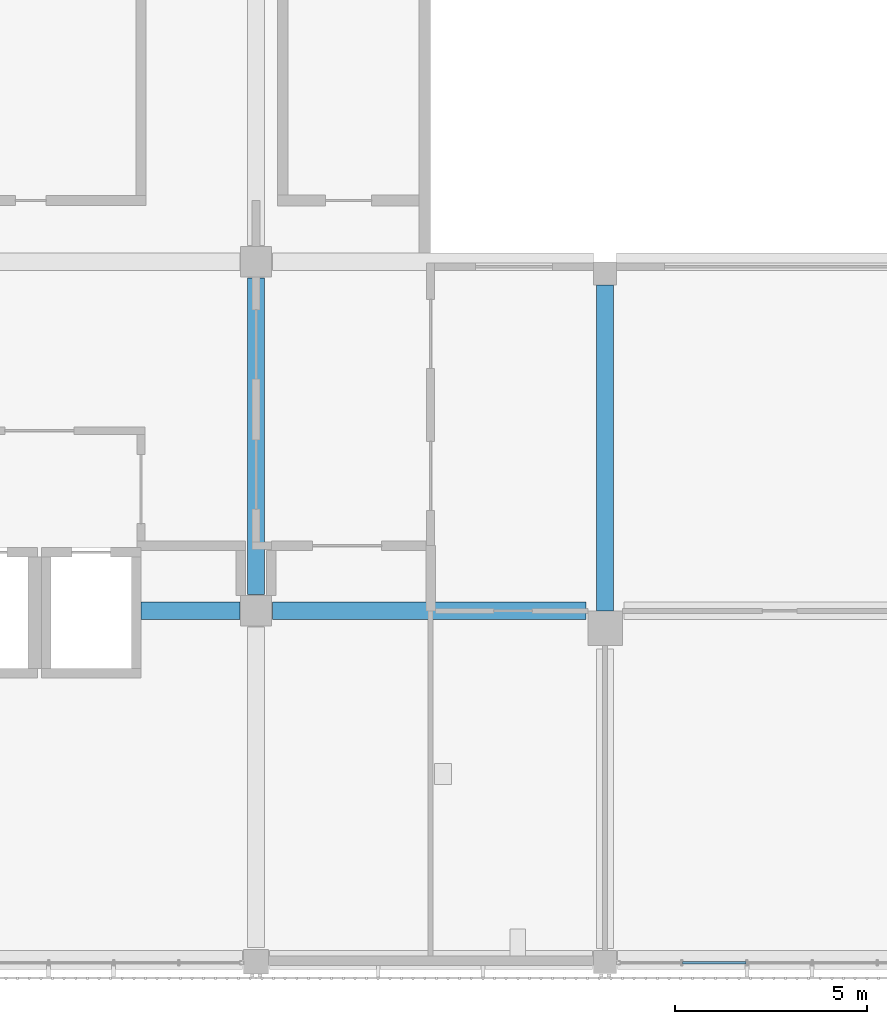
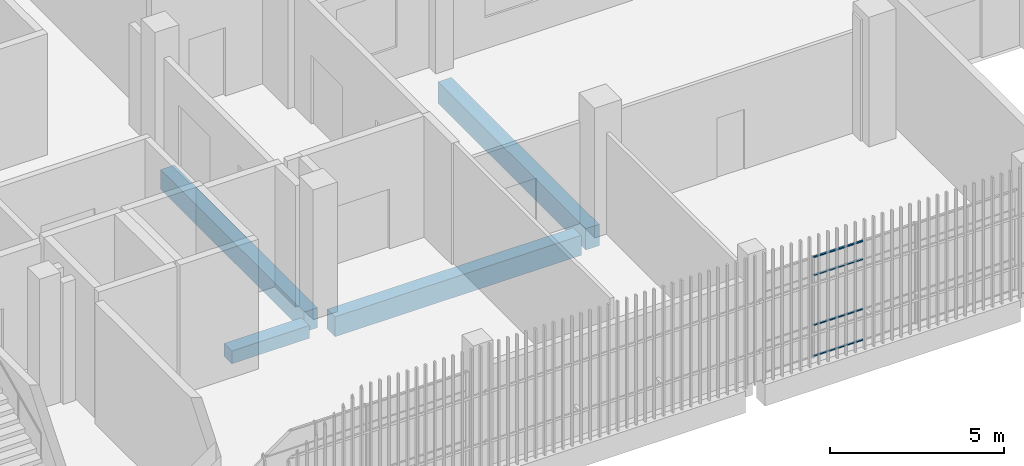
# One storey, part 9 of 104: 4 beams, 4 members, 1 element without a shape of its own.
"""IFC4 building model written with IfcOpenShell, lengths in metres."""

import ifcopenshell
import ifcopenshell.guid

model = None  # the IFC model being written
_history = None  # IfcOwnerHistory: only IFC2X3 demands one
_inside = {}  # id of a spatial element -> (the spatial element, [elements in it])
_under = {}  # id of a project, library or spatial element -> (it, [spatial elements below it])
_declared = {}  # id of a project -> (the project, [libraries it declares])
_typed = {}  # id of a type object -> (the type object, [elements of that type])
_made_of = {}  # id of a material, layer set ... -> (it, [elements and type objects made of it])


def new_model(schema):
    """Start an empty IFC model of exactly this schema.

    Asked for "IFC4X3", IfcOpenShell would pick the latest addendum, in which some entities
    have other attributes; the version numbers below select the first issue.
    IFC2X3 requires an IfcOwnerHistory on every rooted entity: one is made here for all.
    """
    global model, _history
    if schema == "IFC4X3":
        model = ifcopenshell.file(schema_version=(4, 3, 0, 0))
    else:
        model = ifcopenshell.file(schema=schema)
    _inside.clear()
    _under.clear()
    _declared.clear()
    _typed.clear()
    _made_of.clear()
    _history = None
    if model.schema == "IFC2X3":
        org = make("IfcOrganization", Name="unknown")
        user = make(
            "IfcPersonAndOrganization",
            ThePerson=make("IfcPerson", FamilyName="unknown"),
            TheOrganization=org,
        )
        app = make(
            "IfcApplication",
            ApplicationDeveloper=org,
            Version="unknown",
            ApplicationFullName="unknown",
            ApplicationIdentifier="unknown",
        )
        _history = make(
            "IfcOwnerHistory",
            OwningUser=user,
            OwningApplication=app,
            ChangeAction="ADDED",
            CreationDate=0,
        )
    return model


def make(cls, **values):
    """One entity of the class cls with the attributes given. An attribute that is None is left unset."""
    return model.create_entity(
        cls, **{name: value for name, value in values.items() if value is not None}
    )


def rooted(cls, **values):
    """An entity with a GlobalId (a new one), such as an element, a storey or a relation."""
    return make(cls, GlobalId=ifcopenshell.guid.new(), OwnerHistory=_history, **values)


def si_unit(unit_type, name, prefix=None):
    """IfcSIUnit, for example si_unit("LENGTHUNIT", "METRE", prefix="MILLI")."""
    return make("IfcSIUnit", UnitType=unit_type, Prefix=prefix, Name=name)


def assignment(units):
    """IfcUnitAssignment: the units of a project."""
    return None if units is None else make("IfcUnitAssignment", Units=units)


def point(xyz):
    """IfcCartesianPoint."""
    return None if xyz is None else make("IfcCartesianPoint", Coordinates=xyz)


def direction(xyz):
    """IfcDirection."""
    return None if xyz is None else make("IfcDirection", DirectionRatios=xyz)


def frame(location, z_axis=None, x_axis=None):
    """IfcAxis2Placement3D, a coordinate frame: its origin and axes. An axis left out is left unset."""
    return make(
        "IfcAxis2Placement3D",
        Location=point(location),
        Axis=direction(z_axis),
        RefDirection=direction(x_axis),
    )


def frame_2d(location, x_axis=None):
    """IfcAxis2Placement2D, a coordinate frame in the plane: its origin and x axis."""
    return make(
        "IfcAxis2Placement2D", Location=point(location), RefDirection=direction(x_axis)
    )


def origin():
    """The frame at (0, 0, 0) with its axes left unset."""
    return frame((0.0, 0.0, 0.0))


def origin_2d():
    """The frame at (0, 0) in the plane with its x axis left unset."""
    return frame_2d((0.0, 0.0))


def place(relative_to, where):
    """IfcLocalPlacement: puts the frame where relative to a parent placement (None: the world)."""
    return make(
        "IfcLocalPlacement", PlacementRelTo=relative_to, RelativePlacement=where
    )


def context(
    kind, dimensions, precision=None, world=None, true_north=None, identifier=None
):
    """IfcGeometricRepresentationContext, for example the 3D "Model" context."""
    return make(
        "IfcGeometricRepresentationContext",
        ContextIdentifier=identifier,
        ContextType=kind,
        CoordinateSpaceDimension=dimensions,
        Precision=precision,
        WorldCoordinateSystem=world,
        TrueNorth=true_north,
    )


def subcontext(parent, identifier, kind, view, scale=None):
    """IfcGeometricRepresentationSubContext, for example "Body" below "Model"."""
    return make(
        "IfcGeometricRepresentationSubContext",
        ContextIdentifier=identifier,
        ContextType=kind,
        ParentContext=parent,
        TargetScale=scale,
        TargetView=view,
    )


def project(units=None, contexts=None):
    """IfcProject with its units and contexts."""
    return rooted(
        "IfcProject",
        Name="project",
        RepresentationContexts=contexts,
        UnitsInContext=assignment(units),
    )


def spatial(cls, under=None, at=None, **own):
    """A site, building, storey or space (cls), placed at a placement, below another one or the project."""
    s = rooted(cls, ObjectPlacement=at, **own)
    if under is not None:
        _under.setdefault(under.id(), (under, []))[1].append(s)
    return s


def profile(cls, at=None, kind="AREA", **sizes):
    """A parametric profile (cls). Its sizes go by their IFC names, for example OverallWidth=200.0."""
    return make(cls, ProfileType=kind, Position=at, **sizes)


def rectangle(**sizes):
    """IfcRectangleProfileDef."""
    return profile("IfcRectangleProfileDef", **sizes)


def hollow_rectangle(**sizes):
    """IfcRectangleHollowProfileDef."""
    return profile("IfcRectangleHollowProfileDef", **sizes)


def extrude(swept, where, along, depth):
    """IfcExtrudedAreaSolid: the profile swept, set in the frame where, extruded along a direction by depth."""
    return make(
        "IfcExtrudedAreaSolid",
        SweptArea=swept,
        Position=where,
        ExtrudedDirection=direction(along),
        Depth=depth,
    )


def shape(context_of_items, identifier, shape_type, items):
    """IfcShapeRepresentation: the items that make up one representation, for example the "Body"."""
    return make(
        "IfcShapeRepresentation",
        ContextOfItems=context_of_items,
        RepresentationIdentifier=identifier,
        RepresentationType=shape_type,
        Items=items,
    )


def material(Name=None, Category=None):
    """IfcMaterial."""
    return make("IfcMaterial", Name=Name, Category=Category)


def layer(
    of_material, thickness, ventilated=None, Name=None, Category=None, Priority=None
):
    """IfcMaterialLayer: one layer of a wall or slab, of a material (None: an air gap)."""
    return make(
        "IfcMaterialLayer",
        Material=of_material,
        LayerThickness=thickness,
        IsVentilated=ventilated,
        Name=Name,
        Category=Category,
        Priority=Priority,
    )


def layer_set(layers, Name=None):
    """IfcMaterialLayerSet."""
    return make("IfcMaterialLayerSet", MaterialLayers=layers, LayerSetName=Name)


def material_profile(
    of_material, cross_section, Name=None, Category=None, Priority=None
):
    """IfcMaterialProfile: a cross section and its material."""
    return make(
        "IfcMaterialProfile",
        Name=Name,
        Material=of_material,
        Profile=cross_section,
        Priority=Priority,
        Category=Category,
    )


def profile_set(profiles, Name=None, composite=None):
    """IfcMaterialProfileSet."""
    return make(
        "IfcMaterialProfileSet",
        Name=Name,
        MaterialProfiles=profiles,
        CompositeProfile=composite,
    )


def made_of(thing, what):
    """Note that an element or type object is made of a material, layer set ...; save() writes the relation."""
    if what is not None:
        _made_of.setdefault(what.id(), (what, []))[1].append(thing)
    return thing


def type_object(cls, material=None, **own):
    """A type object (cls), such as IfcWallType, which elements share."""
    return made_of(rooted(cls, **own), material)


def element(
    cls,
    number,
    at=None,
    inside=None,
    cuts=None,
    type_object=None,
    material=None,
    context=None,
    identifier="Body",
    shape_type=None,
    held_by="IfcProductDefinitionShape",
    body=None,
    shapes=None,
    **own,
):
    """One element of the class cls, such as IfcWall. Its Tag is "e" and its number.

    at: its placement. inside: the storey or other place that contains it. cuts: it is an
    opening in that element (IfcRelVoidsElement). A single representation is given by context,
    identifier, shape_type and body (its items); several are given by shapes. held_by: the class
    of the entity that holds the representations. save() writes the other relations.
    """
    e = rooted(cls, Tag="e%d" % number, ObjectPlacement=at, **own)
    if body is not None:
        shapes = [shape(context, identifier, shape_type, body)]
    if shapes is not None:
        e.Representation = make(held_by, Representations=shapes)
    if inside is not None:
        _inside.setdefault(inside.id(), (inside, []))[1].append(e)
    if cuts is not None:
        rooted(
            "IfcRelVoidsElement", RelatingBuildingElement=cuts, RelatedOpeningElement=e
        )
    if type_object is not None:
        _typed.setdefault(type_object.id(), (type_object, []))[1].append(e)
    return made_of(e, material)


def aggregate(whole, parts):
    """IfcRelAggregates: a whole, such as a stair, and the parts it consists of."""
    return rooted("IfcRelAggregates", RelatingObject=whole, RelatedObjects=parts)


def save(model, path):
    """Write the relations noted so far, then the file.

    IfcRelAggregates (storeys below a building ...), IfcRelContainedInSpatialStructure (elements
    in a storey), IfcRelDefinesByType, IfcRelAssociatesMaterial and IfcRelDeclares: one each for
    every whole, place, type object, material and project.
    """
    for whole, parts in _under.values():
        aggregate(whole, parts)
    for where, things in _inside.values():
        rooted(
            "IfcRelContainedInSpatialStructure",
            RelatedElements=things,
            RelatingStructure=where,
        )
    for kind, things in _typed.values():
        rooted("IfcRelDefinesByType", RelatedObjects=things, RelatingType=kind)
    for what, things in _made_of.values():
        rooted("IfcRelAssociatesMaterial", RelatedObjects=things, RelatingMaterial=what)
    for by, libraries in _declared.values():
        rooted("IfcRelDeclares", RelatingContext=by, RelatedDefinitions=libraries)
    model.write(path)


model = new_model("IFC4")

# Units and contexts
model_context = context("Model", 3, precision=1e-05, world=origin(), true_north=direction((0.0, 1.0)))
body_context = subcontext(model_context, "Body", "Model", "MODEL_VIEW")
ifc_project = project(units=[si_unit("LENGTHUNIT", "METRE"), si_unit("AREAUNIT", "SQUARE_METRE"), si_unit("VOLUMEUNIT", "CUBIC_METRE"), si_unit("PLANEANGLEUNIT", "RADIAN"), si_unit("MASSUNIT", "GRAM", prefix="KILO")], contexts=[model_context])

# Site, building, storey
site_placement = place(None, origin())
site = spatial("IfcSite", under=ifc_project, at=site_placement, CompositionType="ELEMENT")
building_placement = place(site_placement, origin())
building = spatial("IfcBuilding", under=site, at=building_placement, Name="Shirokan Park Arena", CompositionType="ELEMENT")
storey_placement = place(building_placement, frame((0.0, 0.0, 10.919921875)))
storey = spatial("IfcBuildingStorey", under=building, at=storey_placement, Name="L02", CompositionType="ELEMENT", Elevation=10.919921875)

# Beams
ifc_material_1 = material(Name="Concrete C35", Category="concrete")
ifc_material_profile_1 = material_profile(ifc_material_1, rectangle(XDim=0.449951171875, YDim=0.699951171875, at=origin_2d()), Name="450x700")
ifc_profile_set_1 = profile_set([ifc_material_profile_1], Name="Concrete C35")
beam_type_1 = type_object("IfcBeamType", Name="RC girder 450x700", PredefinedType="BEAM", material=ifc_profile_set_1)
beam_1_placement = place(storey_placement, frame((36.8251953125, 9.10009765625, -0.64990234375), z_axis=(1.0, 0.0, 0.0), x_axis=(0.0, 1.0, 0.0)))
element("IfcBeam", 1, at=beam_1_placement, inside=storey, type_object=beam_type_1, Name="Girder 5B-6B L02", PredefinedType="BEAM", context=body_context, shape_type="SweptSolid", body=[
    extrude(rectangle(XDim=0.449951171875, YDim=0.699951171875, at=origin_2d()), origin(), (0.0, 0.0, 1.0), 8.1748046875),
])
beam_2_placement = place(storey_placement, frame((36.39990234375, 9.525146484375, -0.64990234375), z_axis=(0.0, 1.0, 0.0), x_axis=(-1.0, 0.0, 0.0)))
element("IfcBeam", 2, at=beam_2_placement, inside=storey, type_object=beam_type_1, Name="Girder 5B-5C L02", PredefinedType="BEAM", context=body_context, shape_type="SweptSolid", body=[
    extrude(rectangle(XDim=0.449951171875, YDim=0.699951171875, at=origin_2d()), origin(), (0.0, 0.0, 1.0), 8.249755859375),
])
ifc_material_profile_2 = material_profile(ifc_material_1, rectangle(XDim=0.449951171875, YDim=0.75, at=origin_2d()), Name="450x750")
ifc_profile_set_2 = profile_set([ifc_material_profile_2], Name="Concrete C35")
beam_type_2 = type_object("IfcBeamType", Name="RC girder 450x750", PredefinedType="BEAM", material=ifc_profile_set_2)
beam_3_placement = place(storey_placement, frame((45.5, 9.10009765625, -0.6748046875), z_axis=(0.0, 1.0, 0.0), x_axis=(-1.0, 0.0, 0.0)))
element("IfcBeam", 3, at=beam_3_placement, inside=storey, type_object=beam_type_2, Name="Girder 6B-6C L02", PredefinedType="BEAM", context=body_context, shape_type="SweptSolid", body=[
    extrude(rectangle(XDim=0.449951171875, YDim=0.75, at=origin_2d()), origin(), (0.0, 0.0, 1.0), 8.499755859375),
])
ifc_material_profile_3 = material_profile(ifc_material_1, rectangle(XDim=0.449951171875, YDim=0.449951171875, at=origin_2d()), Name="450x450")
ifc_profile_set_3 = profile_set([ifc_material_profile_3], Name="Concrete C35")
beam_type_3 = type_object("IfcBeamType", Name="RC trimmer 450x450", PredefinedType="BEAM", material=ifc_profile_set_3)
beam_4_placement = place(storey_placement, frame((33.39990234375, 9.10009765625, -0.52490234375), z_axis=(1.0, 0.0, 0.0), x_axis=(0.0, 1.0, 0.0)))
element("IfcBeam", 4, at=beam_4_placement, inside=storey, type_object=beam_type_3, Name="Girder 4B-5B L02", PredefinedType="BEAM", context=body_context, shape_type="SweptSolid", body=[
    extrude(rectangle(XDim=0.449951171875, YDim=0.449951171875, at=origin_2d()), origin(), (0.0, 0.0, 1.0), 2.574951171875),
])

# Curtain wall, members
ifc_material_2 = material(Name="Steel and glass curtain wall", Category="steel")
ifc_layer = layer(ifc_material_2, 0.14990234375)
ifc_layer_set = layer_set([ifc_layer], Name="Steel and glass curtain wall 150 mm")
curtain_wall_type = type_object("IfcCurtainWallType", Name="Curtain wall exposed bay 150", PredefinedType="NOTDEFINED", material=ifc_layer_set)
curtain_wall_placement = place(storey_placement, origin())
curtain_wall = element("IfcCurtainWall", 5, at=curtain_wall_placement, inside=storey, type_object=curtain_wall_type, Name="Curtain wall south bay 6 L02", PredefinedType="NOTDEFINED")
ifc_material_3 = material(Name="Steel S355", Category="steel")
ifc_material_profile_4 = material_profile(ifc_material_3, hollow_rectangle(XDim=0.06005859375, YDim=0.0400390625, WallThickness=0.00390625, at=origin_2d()), Name="RHS 60x40x4")
ifc_profile_set_4 = profile_set([ifc_material_profile_4], Name="Steel S355")
member_type = type_object("IfcMemberType", Name="Transom RHS 60x40x4", PredefinedType="MULLION", material=ifc_profile_set_4)
member_1_placement = place(storey_placement, frame((47.52490234375, -0.074951171875, 0.02001953125), z_axis=(1.0, 0.0, 0.0), x_axis=(0.0, 1.0, 0.0)))
member_1 = element("IfcMember", 6, at=member_1_placement, type_object=member_type, Name="CW1 transom 2.1", PredefinedType="MULLION", context=body_context, shape_type="SweptSolid", body=[
    extrude(hollow_rectangle(XDim=0.06005859375, YDim=0.0400390625, WallThickness=0.00390625, at=origin_2d()), origin(), (0.0, 0.0, 1.0), 1.650146484375),
])
member_2_placement = place(storey_placement, frame((47.52490234375, -0.074951171875, 1.10009765625), z_axis=(1.0, 0.0, 0.0), x_axis=(0.0, 1.0, 0.0)))
member_2 = element("IfcMember", 7, at=member_2_placement, type_object=member_type, Name="CW1 transom 2.2", PredefinedType="MULLION", context=body_context, shape_type="SweptSolid", body=[
    extrude(hollow_rectangle(XDim=0.06005859375, YDim=0.0400390625, WallThickness=0.00390625, at=origin_2d()), origin(), (0.0, 0.0, 1.0), 1.650146484375),
])
member_3_placement = place(storey_placement, frame((47.52490234375, -0.074951171875, 2.85009765625), z_axis=(1.0, 0.0, 0.0), x_axis=(0.0, 1.0, 0.0)))
member_3 = element("IfcMember", 8, at=member_3_placement, type_object=member_type, Name="CW1 transom 2.3", PredefinedType="MULLION", context=body_context, shape_type="SweptSolid", body=[
    extrude(hollow_rectangle(XDim=0.06005859375, YDim=0.0400390625, WallThickness=0.00390625, at=origin_2d()), origin(), (0.0, 0.0, 1.0), 1.650146484375),
])
member_4_placement = place(storey_placement, frame((47.52490234375, -0.074951171875, 3.47998046875), z_axis=(1.0, 0.0, 0.0), x_axis=(0.0, 1.0, 0.0)))
member_4 = element("IfcMember", 9, at=member_4_placement, type_object=member_type, Name="CW1 transom 2.4", PredefinedType="MULLION", context=body_context, shape_type="SweptSolid", body=[
    extrude(hollow_rectangle(XDim=0.06005859375, YDim=0.0400390625, WallThickness=0.00390625, at=origin_2d()), origin(), (0.0, 0.0, 1.0), 1.650146484375),
])
aggregate(curtain_wall, [member_1, member_2, member_3, member_4])

save(model, "model.ifc")
